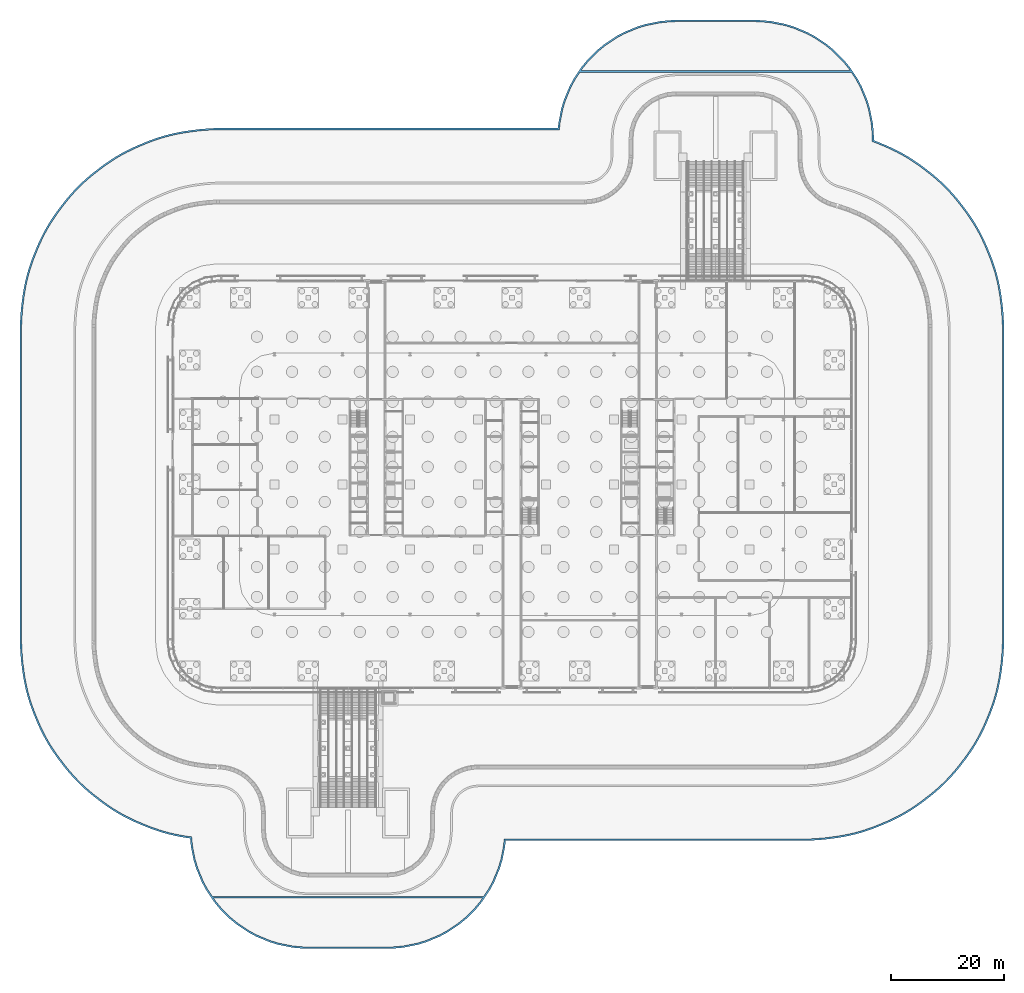
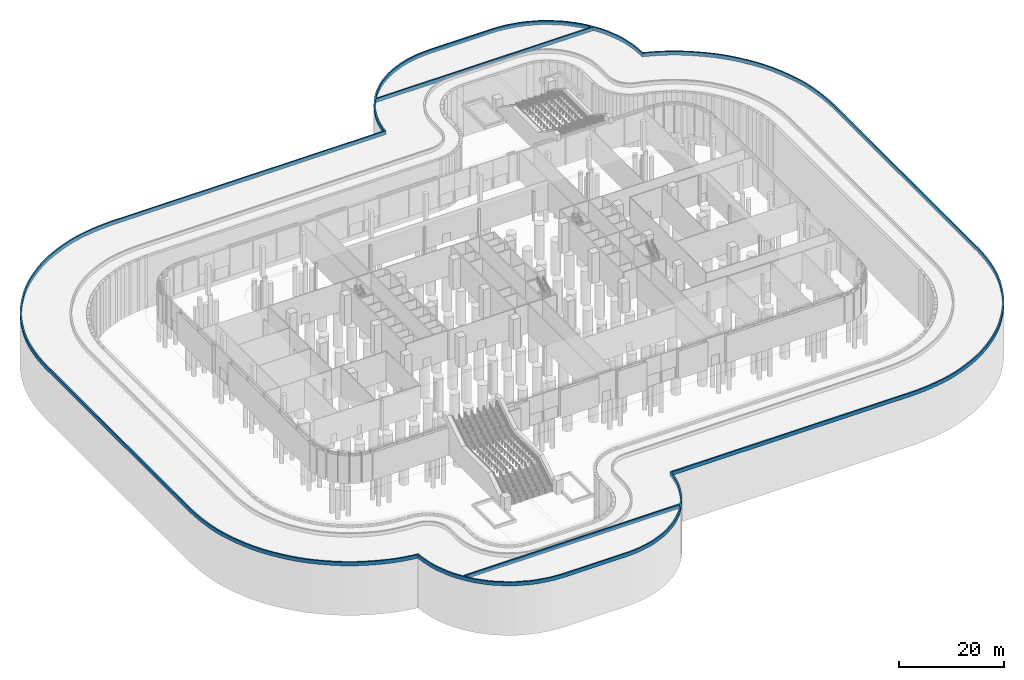
# One storey, part 18 of 48: 1 slab.
"""IFC4 building model written with IfcOpenShell, lengths in metres."""

from ifc_helpers import new_model, si_unit, direction, frame, origin, place, context, subcontext, project, spatial, polyline, outline, extrude, material, layer, layer_set, type_object, element, save


model = new_model("IFC4")

# Units and contexts
model_context = context("Model", 3, precision=1e-05, world=origin(), true_north=direction((0.0, 1.0)))
body_context = subcontext(model_context, "Body", "Model", "MODEL_VIEW")
ifc_project = project(units=[si_unit("LENGTHUNIT", "METRE"), si_unit("AREAUNIT", "SQUARE_METRE"), si_unit("VOLUMEUNIT", "CUBIC_METRE"), si_unit("PLANEANGLEUNIT", "RADIAN"), si_unit("MASSUNIT", "GRAM", prefix="KILO")], contexts=[model_context])

# Site, building, storey
site_placement = place(None, origin())
site = spatial("IfcSite", under=ifc_project, at=site_placement, CompositionType="ELEMENT")
building_placement = place(site_placement, origin())
building = spatial("IfcBuilding", under=site, at=building_placement, Name="Mahtab Terrace Research Tower", CompositionType="ELEMENT")
storey_placement = place(building_placement, origin())
storey = spatial("IfcBuildingStorey", under=building, at=storey_placement, Name="G", CompositionType="ELEMENT", Elevation=0.0)

# Slab
ifc_material = material(Name="Granite paving", Category="masonry")
ifc_layer = layer(ifc_material, 0.169921875)
ifc_layer_set = layer_set([ifc_layer], Name="Granite kerb 400")
slab_type = type_object("IfcSlabType", Name="Granite kerb 400", PredefinedType="USERDEFINED", material=ifc_layer_set)
slab_placement = place(storey_placement, frame((0.0, 0.0, -0.699951171875)))
element("IfcSlab", 1, at=slab_placement, inside=storey, type_object=slab_type, Name="Street kerb 1", ObjectType="KERB", PredefinedType="USERDEFINED", context=body_context, shape_type="SweptSolid", body=[
    extrude(outline(polyline([(-5.299072265625, -73.806884765625), (-6.2939453125, -75.01904296875), (-8.095947265625, -76.821044921875), (-9.30810546875, -77.81591796875), (-11.427001953125, -79.23193359375), (-12.81005859375, -79.970947265625), (-15.1650390625, -80.946044921875), (-16.666015625, -81.402099609375), (-19.1650390625, -81.89892578125), (-20.72607421875, -82.052001953125), (-22.0, -82.114990234375), (-36.0, -82.114990234375), (-37.27392578125, -82.052001953125), (-38.8349609375, -81.89892578125), (-41.333984375, -81.402099609375), (-42.8349609375, -80.946044921875), (-45.18994140625, -79.970947265625), (-46.572998046875, -79.23193359375), (-48.69189453125, -77.81591796875), (-49.904052734375, -76.821044921875), (-51.7060546875, -75.01904296875), (-52.700927734375, -73.806884765625), (-53.139892578125, -73.14990234375), (-53.340087890625, -72.85009765625), (-54.116943359375, -71.68798828125), (-54.85595703125, -70.304931640625), (-55.8310546875, -67.949951171875), (-56.287109375, -66.448974609375), (-56.783935546875, -63.949951171875), (-56.91796875, -62.5849609375), (-57.340087890625, -62.530029296875), (-57.760986328125, -62.467041015625), (-58.277099609375, -62.382080078125), (-58.695068359375, -62.305908203125), (-59.718994140625, -62.10205078125), (-60.547119140625, -61.908935546875), (-61.556884765625, -61.637939453125), (-62.37109375, -61.39111328125), (-63.360107421875, -61.054931640625), (-63.760009765625, -60.912109375), (-64.25, -60.72802734375), (-64.64501953125, -60.572021484375), (-66.091064453125, -59.972900390625), (-66.48095703125, -59.803955078125), (-66.95703125, -59.587890625), (-67.342041015625, -59.406005859375), (-68.278076171875, -58.944091796875), (-69.028076171875, -58.5439453125), (-69.93408203125, -58.02099609375), (-70.656005859375, -57.572021484375), (-71.52392578125, -56.991943359375), (-71.8740234375, -56.75), (-72.299072265625, -56.445068359375), (-72.64111328125, -56.19189453125), (-73.882080078125, -55.239990234375), (-74.216064453125, -54.97509765625), (-74.62109375, -54.64306640625), (-74.946044921875, -54.366943359375), (-75.73193359375, -53.677001953125), (-76.35400390625, -53.094970703125), (-77.094970703125, -52.35400390625), (-77.677001953125, -51.73193359375), (-78.366943359375, -50.945068359375), (-78.64306640625, -50.62109375), (-78.97509765625, -50.215087890625), (-79.239990234375, -49.882080078125), (-80.19189453125, -48.639892578125), (-80.445068359375, -48.299072265625), (-80.75, -47.8740234375), (-80.991943359375, -47.52392578125), (-81.572021484375, -46.656005859375), (-82.02099609375, -45.93408203125), (-82.5439453125, -45.028076171875), (-82.944091796875, -44.278076171875), (-83.406005859375, -43.341064453125), (-83.587890625, -42.95703125), (-83.803955078125, -42.47998046875), (-83.972900390625, -42.090087890625), (-84.572021484375, -40.64501953125), (-84.72802734375, -40.25), (-84.912109375, -39.760009765625), (-85.054931640625, -39.360107421875), (-85.39111328125, -38.37109375), (-85.637939453125, -37.556884765625), (-85.908935546875, -36.547119140625), (-86.10205078125, -35.718994140625), (-86.305908203125, -34.695068359375), (-86.382080078125, -34.277099609375), (-86.467041015625, -33.760986328125), (-86.530029296875, -33.340087890625), (-86.73388671875, -31.7880859375), (-86.782958984375, -31.364990234375), (-86.833984375, -30.843994140625), (-86.868896484375, -30.4189453125), (-86.955078125, -29.113037109375), (-86.97607421875, -28.68701171875), (-86.992919921875, -28.1640625), (-87.0, -27.738037109375), (-87.0, 27.738037109375), (-86.992919921875, 28.1640625), (-86.97607421875, 28.68798828125), (-86.955078125, 29.113037109375), (-86.868896484375, 30.4189453125), (-86.833984375, 30.843994140625), (-86.782958984375, 31.365966796875), (-86.73388671875, 31.7890625), (-86.530029296875, 33.340087890625), (-86.467041015625, 33.760986328125), (-86.382080078125, 34.277099609375), (-86.305908203125, 34.695068359375), (-86.10205078125, 35.718994140625), (-85.908935546875, 36.547119140625), (-85.637939453125, 37.556884765625), (-85.39111328125, 38.37109375), (-85.054931640625, 39.360107421875), (-84.912109375, 39.760009765625), (-84.72802734375, 40.25), (-84.572021484375, 40.64501953125), (-83.972900390625, 42.091064453125), (-83.803955078125, 42.48095703125), (-83.587890625, 42.95703125), (-83.406005859375, 43.342041015625), (-82.944091796875, 44.278076171875), (-82.5439453125, 45.028076171875), (-82.02099609375, 45.93408203125), (-81.572021484375, 46.656005859375), (-80.991943359375, 47.52392578125), (-80.75, 47.8740234375), (-80.445068359375, 48.299072265625), (-80.19189453125, 48.64111328125), (-79.239990234375, 49.882080078125), (-78.97509765625, 50.216064453125), (-78.64306640625, 50.62109375), (-78.366943359375, 50.946044921875), (-77.677001953125, 51.73193359375), (-77.094970703125, 52.35400390625), (-76.35400390625, 53.094970703125), (-75.73193359375, 53.677001953125), (-74.945068359375, 54.366943359375), (-74.62109375, 54.64306640625), (-74.215087890625, 54.97509765625), (-73.882080078125, 55.239990234375), (-72.639892578125, 56.19189453125), (-72.299072265625, 56.445068359375), (-71.8740234375, 56.75), (-71.52392578125, 56.991943359375), (-70.656005859375, 57.572021484375), (-69.93408203125, 58.02099609375), (-69.028076171875, 58.5439453125), (-68.278076171875, 58.944091796875), (-67.341064453125, 59.406005859375), (-66.95703125, 59.587890625), (-66.47998046875, 59.803955078125), (-66.090087890625, 59.972900390625), (-64.64501953125, 60.572021484375), (-64.25, 60.72802734375), (-63.760009765625, 60.912109375), (-63.360107421875, 61.054931640625), (-62.37109375, 61.39111328125), (-61.556884765625, 61.637939453125), (-60.547119140625, 61.908935546875), (-59.718994140625, 62.10205078125), (-58.695068359375, 62.305908203125), (-58.277099609375, 62.382080078125), (-57.760986328125, 62.467041015625), (-57.340087890625, 62.530029296875), (-55.7880859375, 62.73388671875), (-55.364990234375, 62.782958984375), (-54.843994140625, 62.833984375), (-54.4189453125, 62.868896484375), (-53.113037109375, 62.955078125), (-52.68701171875, 62.97607421875), (-52.1640625, 62.992919921875), (-51.738037109375, 63.0), (8.123046875, 63.0), (8.216064453125, 63.949951171875), (8.712890625, 66.448974609375), (9.1689453125, 67.949951171875), (10.14404296875, 70.304931640625), (10.883056640625, 71.68798828125), (11.860107421875, 73.14990234375), (12.299072265625, 73.806884765625), (13.2939453125, 75.01904296875), (15.095947265625, 76.821044921875), (16.30810546875, 77.81591796875), (18.427001953125, 79.23193359375), (19.81005859375, 79.970947265625), (22.1650390625, 80.946044921875), (23.666015625, 81.402099609375), (26.1650390625, 81.89892578125), (27.72607421875, 82.052001953125), (29.0, 82.114990234375), (43.0, 82.114990234375), (44.27392578125, 82.052001953125), (45.8349609375, 81.89892578125), (48.333984375, 81.402099609375), (49.8349609375, 80.946044921875), (52.18994140625, 79.970947265625), (53.572998046875, 79.23193359375), (55.69189453125, 77.81591796875), (56.904052734375, 76.821044921875), (58.7060546875, 75.01904296875), (59.700927734375, 73.806884765625), (61.116943359375, 71.68798828125), (61.85595703125, 70.304931640625), (62.8310546875, 67.949951171875), (63.287109375, 66.448974609375), (63.783935546875, 63.949951171875), (63.93701171875, 62.388916015625), (64.0, 61.114990234375), (64.0, 60.822021484375), (64.25, 60.72802734375), (64.64501953125, 60.572021484375), (66.091064453125, 59.972900390625), (66.48095703125, 59.803955078125), (66.95703125, 59.587890625), (67.342041015625, 59.406005859375), (68.278076171875, 58.944091796875), (69.028076171875, 58.5439453125), (69.93408203125, 58.02099609375), (70.656005859375, 57.572021484375), (71.52392578125, 56.991943359375), (71.8740234375, 56.75), (72.299072265625, 56.445068359375), (72.64111328125, 56.19189453125), (73.882080078125, 55.239990234375), (74.216064453125, 54.97509765625), (74.62109375, 54.64306640625), (74.946044921875, 54.366943359375), (75.73193359375, 53.677001953125), (76.35400390625, 53.094970703125), (77.094970703125, 52.35400390625), (77.677001953125, 51.73193359375), (78.366943359375, 50.945068359375), (78.64306640625, 50.62109375), (78.97509765625, 50.215087890625), (79.239990234375, 49.882080078125), (80.19189453125, 48.639892578125), (80.445068359375, 48.299072265625), (80.75, 47.8740234375), (80.991943359375, 47.52392578125), (81.572021484375, 46.656005859375), (82.02099609375, 45.93408203125), (82.5439453125, 45.028076171875), (82.944091796875, 44.278076171875), (83.406005859375, 43.341064453125), (83.587890625, 42.95703125), (83.803955078125, 42.47998046875), (83.972900390625, 42.090087890625), (84.572021484375, 40.64501953125), (84.72802734375, 40.25), (84.912109375, 39.760009765625), (85.054931640625, 39.360107421875), (85.39111328125, 38.37109375), (85.637939453125, 37.556884765625), (85.908935546875, 36.547119140625), (86.10205078125, 35.718994140625), (86.305908203125, 34.695068359375), (86.382080078125, 34.277099609375), (86.467041015625, 33.760986328125), (86.530029296875, 33.340087890625), (86.73388671875, 31.7880859375), (86.782958984375, 31.364990234375), (86.833984375, 30.843994140625), (86.868896484375, 30.4189453125), (86.955078125, 29.113037109375), (86.97607421875, 28.68701171875), (86.992919921875, 28.1640625), (87.0, 27.738037109375), (87.0, -27.738037109375), (86.992919921875, -28.1640625), (86.97607421875, -28.68798828125), (86.955078125, -29.113037109375), (86.868896484375, -30.4189453125), (86.833984375, -30.843994140625), (86.782958984375, -31.365966796875), (86.73388671875, -31.7890625), (86.530029296875, -33.340087890625), (86.467041015625, -33.760986328125), (86.382080078125, -34.277099609375), (86.305908203125, -34.695068359375), (86.10205078125, -35.718994140625), (85.908935546875, -36.547119140625), (85.637939453125, -37.556884765625), (85.39111328125, -38.37109375), (85.054931640625, -39.360107421875), (84.912109375, -39.760009765625), (84.72802734375, -40.25), (84.572021484375, -40.64501953125), (83.972900390625, -42.091064453125), (83.803955078125, -42.48095703125), (83.587890625, -42.95703125), (83.406005859375, -43.342041015625), (82.944091796875, -44.278076171875), (82.5439453125, -45.028076171875), (82.02099609375, -45.93408203125), (81.572021484375, -46.656005859375), (80.991943359375, -47.52392578125), (80.75, -47.8740234375), (80.445068359375, -48.299072265625), (80.19189453125, -48.64111328125), (79.239990234375, -49.882080078125), (78.97509765625, -50.216064453125), (78.64306640625, -50.62109375), (78.366943359375, -50.946044921875), (77.677001953125, -51.73193359375), (77.094970703125, -52.35400390625), (76.35400390625, -53.094970703125), (75.73193359375, -53.677001953125), (74.945068359375, -54.366943359375), (74.62109375, -54.64306640625), (74.215087890625, -54.97509765625), (73.882080078125, -55.239990234375), (72.639892578125, -56.19189453125), (72.299072265625, -56.445068359375), (71.8740234375, -56.75), (71.52392578125, -56.991943359375), (70.656005859375, -57.572021484375), (69.93408203125, -58.02099609375), (69.028076171875, -58.5439453125), (68.278076171875, -58.944091796875), (67.341064453125, -59.406005859375), (66.95703125, -59.587890625), (66.47998046875, -59.803955078125), (66.090087890625, -59.972900390625), (64.64501953125, -60.572021484375), (64.25, -60.72802734375), (63.760009765625, -60.912109375), (63.360107421875, -61.054931640625), (62.37109375, -61.39111328125), (61.556884765625, -61.637939453125), (60.547119140625, -61.908935546875), (59.718994140625, -62.10205078125), (58.695068359375, -62.305908203125), (58.277099609375, -62.382080078125), (57.760986328125, -62.467041015625), (57.340087890625, -62.530029296875), (55.7880859375, -62.73388671875), (55.364990234375, -62.782958984375), (54.843994140625, -62.833984375), (54.4189453125, -62.868896484375), (53.113037109375, -62.955078125), (52.68701171875, -62.97607421875), (52.1640625, -62.992919921875), (51.738037109375, -63.0), (-1.123046875, -63.0), (-1.216064453125, -63.949951171875), (-1.712890625, -66.448974609375), (-2.1689453125, -67.949951171875), (-3.14404296875, -70.304931640625), (-3.883056640625, -71.68798828125), (-4.659912109375, -72.85009765625), (-4.860107421875, -73.14990234375), (-5.299072265625, -73.806884765625)]), holes=[polyline([(-52.4599609375, -73.6279296875), (-51.48291015625, -74.81689453125), (-49.701904296875, -76.597900390625), (-48.512939453125, -77.574951171875), (-46.41796875, -78.97412109375), (-45.06103515625, -79.698974609375), (-42.73388671875, -80.6630859375), (-41.260986328125, -81.110107421875), (-38.791015625, -81.60205078125), (-37.251953125, -81.7529296875), (-35.992919921875, -81.81494140625), (-22.007080078125, -81.81494140625), (-20.748046875, -81.7529296875), (-19.208984375, -81.60205078125), (-16.739013671875, -81.110107421875), (-15.26611328125, -80.6630859375), (-12.93896484375, -79.698974609375), (-11.58203125, -78.97412109375), (-9.487060546875, -77.574951171875), (-8.298095703125, -76.597900390625), (-6.51708984375, -74.81689453125), (-5.5400390625, -73.6279296875), (-5.220947265625, -73.14990234375), (-52.779052734375, -73.14990234375), (-52.4599609375, -73.6279296875)]), polyline([(-4.14111328125, -71.532958984375), (-3.416015625, -70.176025390625), (-2.451904296875, -67.84912109375), (-2.0048828125, -66.3759765625), (-1.512939453125, -63.906005859375), (-1.39501953125, -62.699951171875), (51.735107421875, -62.699951171875), (52.156005859375, -62.693115234375), (52.675048828125, -62.676025390625), (53.095947265625, -62.655029296875), (54.39697265625, -62.570068359375), (54.81689453125, -62.535888671875), (55.3330078125, -62.485107421875), (55.751953125, -62.43603515625), (57.298095703125, -62.23291015625), (57.714111328125, -62.1708984375), (58.22509765625, -62.0859375), (58.638916015625, -62.010986328125), (59.656005859375, -61.80908203125), (60.47412109375, -61.617919921875), (61.47509765625, -61.35009765625), (62.279052734375, -61.10595703125), (63.260986328125, -60.77197265625), (63.656982421875, -60.631103515625), (64.14208984375, -60.447998046875), (64.531982421875, -60.2939453125), (65.972900390625, -59.697021484375), (66.35888671875, -59.530029296875), (66.8310546875, -59.31591796875), (67.2109375, -59.135986328125), (68.14111328125, -58.677001953125), (68.882080078125, -58.281005859375), (69.779052734375, -57.763916015625), (70.492919921875, -57.320068359375), (71.35498046875, -56.743896484375), (71.700927734375, -56.5048828125), (72.1220703125, -56.202880859375), (72.4599609375, -55.952880859375), (73.697021484375, -55.00390625), (74.027099609375, -54.741943359375), (74.427978515625, -54.412109375), (74.75, -54.139892578125), (75.531005859375, -53.455078125), (76.14501953125, -52.87890625), (76.87890625, -52.14501953125), (77.455078125, -51.531005859375), (78.139892578125, -50.75), (78.412109375, -50.428955078125), (78.741943359375, -50.027099609375), (79.0029296875, -49.697021484375), (79.952880859375, -48.4599609375), (80.202880859375, -48.1220703125), (80.5048828125, -47.700927734375), (80.743896484375, -47.35498046875), (81.320068359375, -46.492919921875), (81.762939453125, -45.779052734375), (82.281005859375, -44.882080078125), (82.677001953125, -44.14111328125), (83.135986328125, -43.2109375), (83.31591796875, -42.8310546875), (83.530029296875, -42.35888671875), (83.697021484375, -41.97412109375), (84.2939453125, -40.532958984375), (84.447998046875, -40.14208984375), (84.631103515625, -39.656982421875), (84.77197265625, -39.260986328125), (85.10595703125, -38.279052734375), (85.34912109375, -37.47509765625), (85.617919921875, -36.47412109375), (85.80908203125, -35.656005859375), (86.010986328125, -34.638916015625), (86.0859375, -34.22607421875), (86.1708984375, -33.714111328125), (86.23291015625, -33.299072265625), (86.43603515625, -31.751953125), (86.485107421875, -31.333984375), (86.535888671875, -30.81689453125), (86.570068359375, -30.39697265625), (86.655029296875, -29.095947265625), (86.676025390625, -28.675048828125), (86.693115234375, -28.156005859375), (86.699951171875, -27.735107421875), (86.699951171875, 27.735107421875), (86.693115234375, 28.156005859375), (86.676025390625, 28.675048828125), (86.655029296875, 29.095947265625), (86.570068359375, 30.39697265625), (86.535888671875, 30.81689453125), (86.485107421875, 31.3330078125), (86.43603515625, 31.751953125), (86.23291015625, 33.298095703125), (86.1708984375, 33.714111328125), (86.0859375, 34.22509765625), (86.010986328125, 34.638916015625), (85.80908203125, 35.656005859375), (85.617919921875, 36.47412109375), (85.35009765625, 37.47509765625), (85.10595703125, 38.279052734375), (84.77197265625, 39.260986328125), (84.631103515625, 39.656982421875), (84.447998046875, 40.14208984375), (84.2939453125, 40.531982421875), (83.697021484375, 41.972900390625), (83.530029296875, 42.35888671875), (83.31591796875, 42.8310546875), (83.135986328125, 43.2109375), (82.677001953125, 44.14111328125), (82.281005859375, 44.882080078125), (81.763916015625, 45.779052734375), (81.320068359375, 46.492919921875), (80.743896484375, 47.35498046875), (80.5048828125, 47.700927734375), (80.202880859375, 48.1220703125), (79.952880859375, 48.4599609375), (79.00390625, 49.697021484375), (78.741943359375, 50.027099609375), (78.412109375, 50.427978515625), (78.139892578125, 50.75), (77.455078125, 51.531005859375), (76.87890625, 52.14501953125), (76.14501953125, 52.87890625), (75.531005859375, 53.455078125), (74.75, 54.139892578125), (74.428955078125, 54.412109375), (74.027099609375, 54.741943359375), (73.697021484375, 55.0029296875), (72.4599609375, 55.952880859375), (72.1220703125, 56.202880859375), (71.700927734375, 56.5048828125), (71.35498046875, 56.743896484375), (70.492919921875, 57.320068359375), (69.779052734375, 57.762939453125), (68.882080078125, 58.281005859375), (68.14111328125, 58.677001953125), (67.2109375, 59.135986328125), (66.8310546875, 59.31591796875), (66.35888671875, 59.530029296875), (65.97412109375, 59.697021484375), (64.532958984375, 60.2939453125), (64.14208984375, 60.447998046875), (63.699951171875, 60.614013671875), (63.699951171875, 61.10791015625), (63.637939453125, 62.366943359375), (63.487060546875, 63.906005859375), (62.9951171875, 66.3759765625), (62.548095703125, 67.84912109375), (61.583984375, 70.176025390625), (60.85888671875, 71.532958984375), (59.97900390625, 72.85009765625), (12.02099609375, 72.85009765625), (11.14111328125, 71.532958984375), (10.416015625, 70.176025390625), (9.451904296875, 67.84912109375), (9.0048828125, 66.3759765625), (8.512939453125, 63.906005859375), (8.39501953125, 62.699951171875), (-51.735107421875, 62.699951171875), (-52.156005859375, 62.693115234375), (-52.675048828125, 62.676025390625), (-53.095947265625, 62.655029296875), (-54.39697265625, 62.570068359375), (-54.81689453125, 62.535888671875), (-55.3330078125, 62.485107421875), (-55.751953125, 62.43603515625), (-57.298095703125, 62.23291015625), (-57.714111328125, 62.1708984375), (-58.22509765625, 62.0859375), (-58.638916015625, 62.010986328125), (-59.656005859375, 61.80908203125), (-60.47412109375, 61.617919921875), (-61.47509765625, 61.35009765625), (-62.279052734375, 61.10595703125), (-63.260986328125, 60.77197265625), (-63.656982421875, 60.631103515625), (-64.14208984375, 60.447998046875), (-64.531982421875, 60.2939453125), (-65.972900390625, 59.697021484375), (-66.35888671875, 59.530029296875), (-66.8310546875, 59.31591796875), (-67.2109375, 59.135986328125), (-68.14111328125, 58.677001953125), (-68.882080078125, 58.281005859375), (-69.779052734375, 57.763916015625), (-70.492919921875, 57.320068359375), (-71.35498046875, 56.743896484375), (-71.700927734375, 56.5048828125), (-72.1220703125, 56.202880859375), (-72.4599609375, 55.952880859375), (-73.697021484375, 55.00390625), (-74.027099609375, 54.741943359375), (-74.427978515625, 54.412109375), (-74.75, 54.139892578125), (-75.531005859375, 53.455078125), (-76.14501953125, 52.87890625), (-76.87890625, 52.14501953125), (-77.455078125, 51.531005859375), (-78.139892578125, 50.75), (-78.412109375, 50.428955078125), (-78.741943359375, 50.027099609375), (-79.0029296875, 49.697021484375), (-79.952880859375, 48.4599609375), (-80.202880859375, 48.1220703125), (-80.5048828125, 47.700927734375), (-80.743896484375, 47.35498046875), (-81.320068359375, 46.492919921875), (-81.762939453125, 45.779052734375), (-82.281005859375, 44.882080078125), (-82.677001953125, 44.14111328125), (-83.135986328125, 43.2109375), (-83.31591796875, 42.8310546875), (-83.530029296875, 42.35888671875), (-83.697021484375, 41.97412109375), (-84.2939453125, 40.532958984375), (-84.447998046875, 40.14208984375), (-84.631103515625, 39.656982421875), (-84.77197265625, 39.260986328125), (-85.10595703125, 38.279052734375), (-85.34912109375, 37.47509765625), (-85.617919921875, 36.47412109375), (-85.80908203125, 35.656005859375), (-86.010986328125, 34.638916015625), (-86.0859375, 34.22607421875), (-86.1708984375, 33.714111328125), (-86.23291015625, 33.299072265625), (-86.43603515625, 31.751953125), (-86.485107421875, 31.333984375), (-86.535888671875, 30.81689453125), (-86.570068359375, 30.39697265625), (-86.655029296875, 29.095947265625), (-86.676025390625, 28.675048828125), (-86.693115234375, 28.156005859375), (-86.699951171875, 27.735107421875), (-86.699951171875, -27.735107421875), (-86.693115234375, -28.156005859375), (-86.676025390625, -28.675048828125), (-86.655029296875, -29.095947265625), (-86.570068359375, -30.39697265625), (-86.535888671875, -30.81689453125), (-86.485107421875, -31.3330078125), (-86.43603515625, -31.751953125), (-86.23291015625, -33.298095703125), (-86.1708984375, -33.714111328125), (-86.0859375, -34.22509765625), (-86.010986328125, -34.638916015625), (-85.80908203125, -35.656005859375), (-85.617919921875, -36.47412109375), (-85.35009765625, -37.47509765625), (-85.10595703125, -38.279052734375), (-84.77197265625, -39.260986328125), (-84.631103515625, -39.656982421875), (-84.447998046875, -40.14208984375), (-84.2939453125, -40.531982421875), (-83.697021484375, -41.972900390625), (-83.530029296875, -42.35888671875), (-83.31591796875, -42.8310546875), (-83.135986328125, -43.2109375), (-82.677001953125, -44.14111328125), (-82.281005859375, -44.882080078125), (-81.763916015625, -45.779052734375), (-81.320068359375, -46.492919921875), (-80.743896484375, -47.35498046875), (-80.5048828125, -47.700927734375), (-80.202880859375, -48.1220703125), (-79.952880859375, -48.4599609375), (-79.00390625, -49.697021484375), (-78.741943359375, -50.027099609375), (-78.412109375, -50.427978515625), (-78.139892578125, -50.75), (-77.455078125, -51.531005859375), (-76.87890625, -52.14501953125), (-76.14501953125, -52.87890625), (-75.531005859375, -53.455078125), (-74.75, -54.139892578125), (-74.428955078125, -54.412109375), (-74.027099609375, -54.741943359375), (-73.697021484375, -55.0029296875), (-72.4599609375, -55.952880859375), (-72.1220703125, -56.202880859375), (-71.700927734375, -56.5048828125), (-71.35498046875, -56.743896484375), (-70.492919921875, -57.320068359375), (-69.779052734375, -57.762939453125), (-68.882080078125, -58.281005859375), (-68.14111328125, -58.677001953125), (-67.2109375, -59.135986328125), (-66.8310546875, -59.31591796875), (-66.35888671875, -59.530029296875), (-65.97412109375, -59.697021484375), (-64.532958984375, -60.2939453125), (-64.14208984375, -60.447998046875), (-63.656982421875, -60.631103515625), (-63.260986328125, -60.77197265625), (-62.279052734375, -61.10595703125), (-61.47509765625, -61.34912109375), (-60.47412109375, -61.617919921875), (-59.656005859375, -61.80908203125), (-58.638916015625, -62.010986328125), (-58.22607421875, -62.0859375), (-57.714111328125, -62.1708984375), (-57.299072265625, -62.23291015625), (-56.64306640625, -62.319091796875), (-56.487060546875, -63.906005859375), (-55.9951171875, -66.3759765625), (-55.548095703125, -67.84912109375), (-54.583984375, -70.176025390625), (-53.85888671875, -71.532958984375), (-52.97900390625, -72.85009765625), (-5.02099609375, -72.85009765625), (-4.14111328125, -71.532958984375)]), polyline([(56.701904296875, 76.597900390625), (55.512939453125, 77.574951171875), (53.41796875, 78.97412109375), (52.06103515625, 79.698974609375), (49.73388671875, 80.6630859375), (48.260986328125, 81.110107421875), (45.791015625, 81.60205078125), (44.251953125, 81.7529296875), (42.992919921875, 81.81494140625), (29.007080078125, 81.81494140625), (27.748046875, 81.7529296875), (26.208984375, 81.60205078125), (23.739013671875, 81.110107421875), (22.26611328125, 80.6630859375), (19.93896484375, 79.698974609375), (18.58203125, 78.97412109375), (16.487060546875, 77.574951171875), (15.298095703125, 76.597900390625), (13.51708984375, 74.81689453125), (12.5400390625, 73.6279296875), (12.220947265625, 73.14990234375), (59.779052734375, 73.14990234375), (59.4599609375, 73.6279296875), (58.48291015625, 74.81689453125), (56.701904296875, 76.597900390625)])]), origin(), (0.0, 0.0, 1.0), 0.85986328125),
])

save(model, "model.ifc")
